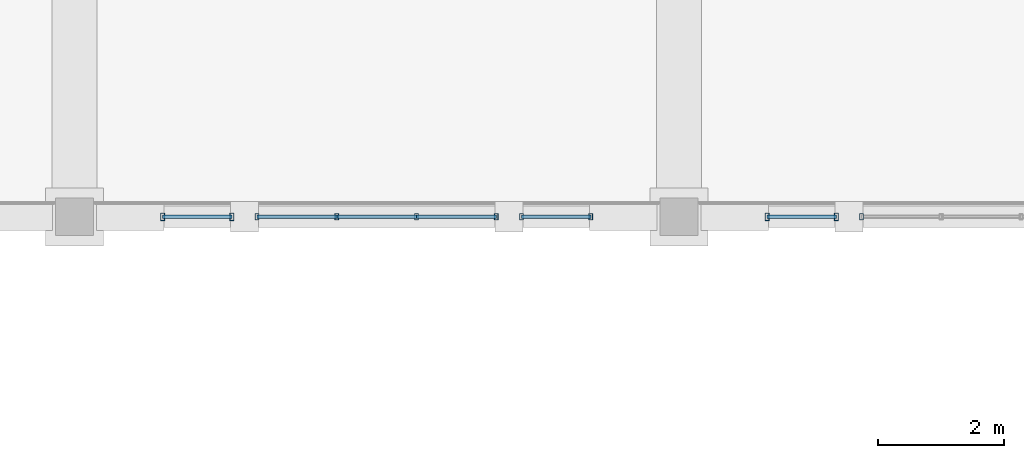
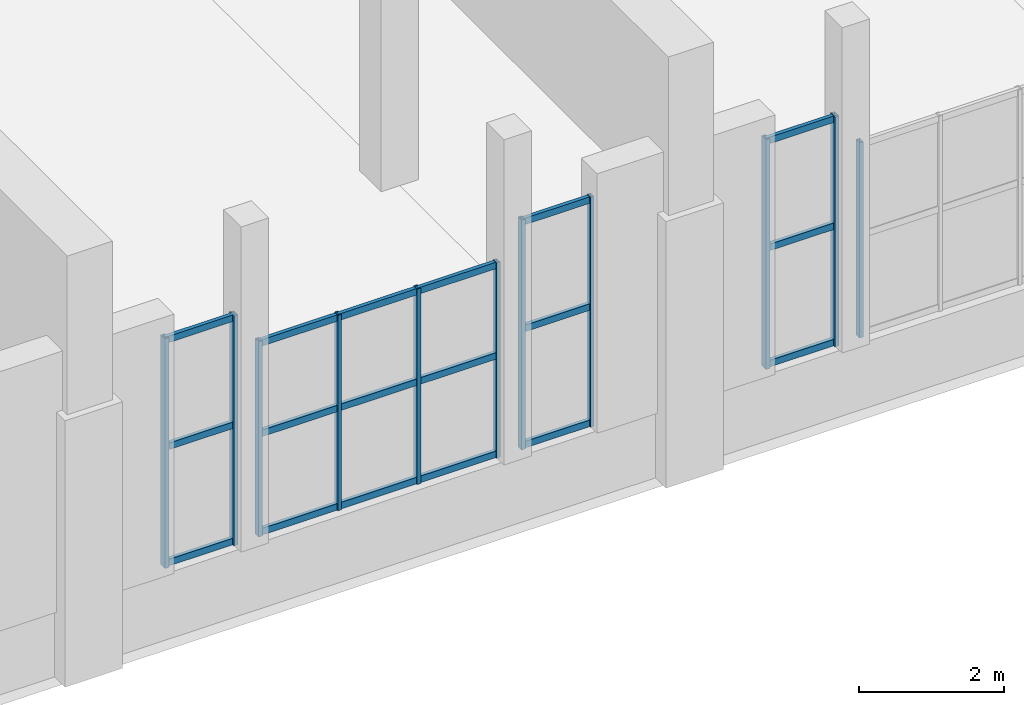
# One storey, part 8 of 46: 29 members, 5 elements without a shape of their own.
"""IFC4 building model written with IfcOpenShell, lengths in metres."""

from ifc_helpers import new_model, si_unit, direction, frame, origin, origin_2d, place, context, subcontext, project, spatial, hollow_rectangle, extrude, material, material_profile, profile_set, type_object, element, aggregate, save


model = new_model("IFC4")

# Units and contexts
model_context = context("Model", 3, precision=1e-05, world=origin(), true_north=direction((0.0, 1.0)))
body_context = subcontext(model_context, "Body", "Model", "MODEL_VIEW")
ifc_project = project(units=[si_unit("LENGTHUNIT", "METRE"), si_unit("AREAUNIT", "SQUARE_METRE"), si_unit("VOLUMEUNIT", "CUBIC_METRE"), si_unit("PLANEANGLEUNIT", "RADIAN"), si_unit("MASSUNIT", "GRAM", prefix="KILO")], contexts=[model_context])

# Site, building, storey
site_placement = place(None, origin())
site = spatial("IfcSite", under=ifc_project, at=site_placement, CompositionType="ELEMENT")
building_placement = place(site_placement, origin())
building = spatial("IfcBuilding", under=site, at=building_placement, Name="Mavantir Sound Aquarium", CompositionType="ELEMENT")
storey_placement = place(building_placement, frame((0.0, 0.0, 15.300048828125)))
storey = spatial("IfcBuildingStorey", under=building, at=storey_placement, Name="L03", CompositionType="ELEMENT", Elevation=15.300048828125)

# Curtain wall, members
ifc_material_1 = material(Name="Anodised Marine Aluminium and Low-E Glass", Category="aluminium")
curtain_wall_type_1 = type_object("IfcCurtainWallType", Name="CW-T10", PredefinedType="USERDEFINED", material=ifc_material_1)
curtain_wall_1_placement = place(storey_placement, origin())
curtain_wall_1 = element("IfcCurtainWall", 1, at=curtain_wall_1_placement, inside=storey, type_object=curtain_wall_type_1, Name="L03 unitised curtain wall CW-10 153", ObjectType="UNITISED GLAZING", PredefinedType="USERDEFINED")
ifc_material_2 = material(Name="Anodised Marine Aluminium 6063-T6", Category="aluminium")
ifc_material_profile_1 = material_profile(ifc_material_2, hollow_rectangle(XDim=0.06005859375, YDim=0.10009765625, WallThickness=0.00390625, at=origin_2d()), Name="ALU-MULLION-100X60")
ifc_profile_set_1 = profile_set([ifc_material_profile_1], Name="Anodised Marine Aluminium 6063-T6")
member_type_1 = type_object("IfcMemberType", Name="CW-MUL-100", PredefinedType="MULLION", material=ifc_profile_set_1)
member_1_placement = place(storey_placement, frame((130.10009765625, 40.800048828125, 1.119873046875), z_axis=(0.0, 0.0, 1.0), x_axis=(1.0, 0.0, 0.0)))
member_1 = element("IfcMember", 2, at=member_1_placement, type_object=member_type_1, Name="CW-DIOC-3S-C vertical mullion 1", PredefinedType="MULLION", context=body_context, shape_type="SweptSolid", body=[
    extrude(hollow_rectangle(XDim=0.06005859375, YDim=0.10009765625, WallThickness=0.00390625, at=origin_2d()), origin(), (0.0, 0.0, 1.0), 3.300048828125),
])
member_2_placement = place(storey_placement, frame((131.36669921875, 40.800048828125, 1.119873046875), z_axis=(0.0, 0.0, 1.0), x_axis=(1.0, 0.0, 0.0)))
member_2 = element("IfcMember", 3, at=member_2_placement, type_object=member_type_1, Name="CW-DIOC-3S-C vertical mullion 2", PredefinedType="MULLION", context=body_context, shape_type="SweptSolid", body=[
    extrude(hollow_rectangle(XDim=0.06005859375, YDim=0.10009765625, WallThickness=0.00390625, at=origin_2d()), origin(), (0.0, 0.0, 1.0), 3.300048828125),
])
member_3_placement = place(storey_placement, frame((132.63330078125, 40.800048828125, 1.119873046875), z_axis=(0.0, 0.0, 1.0), x_axis=(1.0, 0.0, 0.0)))
member_3 = element("IfcMember", 4, at=member_3_placement, type_object=member_type_1, Name="CW-DIOC-3S-C vertical mullion 3", PredefinedType="MULLION", context=body_context, shape_type="SweptSolid", body=[
    extrude(hollow_rectangle(XDim=0.06005859375, YDim=0.10009765625, WallThickness=0.00390625, at=origin_2d()), origin(), (0.0, 0.0, 1.0), 3.300048828125),
])
member_4_placement = place(storey_placement, frame((133.89990234375, 40.800048828125, 1.119873046875), z_axis=(0.0, 0.0, 1.0), x_axis=(1.0, 0.0, 0.0)))
member_4 = element("IfcMember", 5, at=member_4_placement, type_object=member_type_1, Name="CW-DIOC-3S-C vertical mullion 4", PredefinedType="MULLION", context=body_context, shape_type="SweptSolid", body=[
    extrude(hollow_rectangle(XDim=0.06005859375, YDim=0.10009765625, WallThickness=0.00390625, at=origin_2d()), origin(), (0.0, 0.0, 1.0), 3.300048828125),
])

curtain_wall_type_2 = type_object("IfcCurtainWallType", Name="CW-T12", PredefinedType="USERDEFINED", material=ifc_material_1)
curtain_wall_2_placement = place(storey_placement, origin())
curtain_wall_2 = element("IfcCurtainWall", 6, at=curtain_wall_2_placement, inside=storey, type_object=curtain_wall_type_2, Name="L03 unitised curtain wall CW-12 155", ObjectType="UNITISED GLAZING", PredefinedType="USERDEFINED")
member_5_placement = place(storey_placement, frame((134.300048828125, 40.800048828125, 1.119873046875), z_axis=(0.0, 0.0, 1.0), x_axis=(1.0, 0.0, 0.0)))
member_5 = element("IfcMember", 7, at=member_5_placement, type_object=member_type_1, Name="CW-DIOC-3S-R vertical mullion 1", PredefinedType="MULLION", context=body_context, shape_type="SweptSolid", body=[
    extrude(hollow_rectangle(XDim=0.06005859375, YDim=0.10009765625, WallThickness=0.00390625, at=origin_2d()), origin(), (0.0, 0.0, 1.0), 3.880126953125),
])
member_6_placement = place(storey_placement, frame((135.39990234375, 40.800048828125, 1.119873046875), z_axis=(0.0, 0.0, 1.0), x_axis=(1.0, 0.0, 0.0)))
member_6 = element("IfcMember", 8, at=member_6_placement, type_object=member_type_1, Name="CW-DIOC-3S-R vertical mullion 2", PredefinedType="MULLION", context=body_context, shape_type="SweptSolid", body=[
    extrude(hollow_rectangle(XDim=0.06005859375, YDim=0.10009765625, WallThickness=0.00390625, at=origin_2d()), origin(), (0.0, 0.0, 1.0), 3.880126953125),
])

# Curtain wall, member
curtain_wall_type_3 = type_object("IfcCurtainWallType", Name="CW-T16", PredefinedType="USERDEFINED", material=ifc_material_1)
curtain_wall_3_placement = place(storey_placement, origin())
curtain_wall_3 = element("IfcCurtainWall", 9, at=curtain_wall_3_placement, inside=storey, type_object=curtain_wall_type_3, Name="L03 unitised curtain wall CW-16 159", ObjectType="UNITISED GLAZING", PredefinedType="USERDEFINED")
member_7_placement = place(storey_placement, frame((139.699951171875, 40.800048828125, 1.119873046875), z_axis=(0.0, 0.0, 1.0), x_axis=(1.0, 0.0, 0.0)))
member_7 = element("IfcMember", 10, at=member_7_placement, type_object=member_type_1, Name="CW-DIOC-4S-C vertical mullion 1", PredefinedType="MULLION", context=body_context, shape_type="SweptSolid", body=[
    extrude(hollow_rectangle(XDim=0.06005859375, YDim=0.10009765625, WallThickness=0.00390625, at=origin_2d()), origin(), (0.0, 0.0, 1.0), 3.300048828125),
])
aggregate(curtain_wall_3, [member_7])

# Curtain wall, members
curtain_wall_type_4 = type_object("IfcCurtainWallType", Name="CW-T11", PredefinedType="USERDEFINED", material=ifc_material_1)
curtain_wall_4_placement = place(storey_placement, origin())
curtain_wall_4 = element("IfcCurtainWall", 11, at=curtain_wall_4_placement, inside=storey, type_object=curtain_wall_type_4, Name="L03 unitised curtain wall CW-11 154", ObjectType="UNITISED GLAZING", PredefinedType="USERDEFINED")
ifc_material_profile_2 = material_profile(ifc_material_2, hollow_rectangle(XDim=0.06494140625, YDim=0.1201171875, WallThickness=0.00390625, at=origin_2d()), Name="ALU-MULLION-120X65")
ifc_profile_set_2 = profile_set([ifc_material_profile_2], Name="Anodised Marine Aluminium 6063-T6")
member_type_2 = type_object("IfcMemberType", Name="CW-MUL-120", PredefinedType="MULLION", material=ifc_profile_set_2)
member_8_placement = place(storey_placement, frame((128.60009765625, 40.800048828125, 1.119873046875), z_axis=(0.0, 0.0, 1.0), x_axis=(1.0, 0.0, 0.0)))
member_8 = element("IfcMember", 12, at=member_8_placement, type_object=member_type_2, Name="CW-DIOC-3S-L vertical mullion 1", PredefinedType="MULLION", context=body_context, shape_type="SweptSolid", body=[
    extrude(hollow_rectangle(XDim=0.06494140625, YDim=0.1201171875, WallThickness=0.00390625, at=origin_2d()), origin(), (0.0, 0.0, 1.0), 3.880126953125),
])
member_9_placement = place(storey_placement, frame((129.699951171875, 40.800048828125, 1.119873046875), z_axis=(0.0, 0.0, 1.0), x_axis=(1.0, 0.0, 0.0)))
member_9 = element("IfcMember", 13, at=member_9_placement, type_object=member_type_2, Name="CW-DIOC-3S-L vertical mullion 2", PredefinedType="MULLION", context=body_context, shape_type="SweptSolid", body=[
    extrude(hollow_rectangle(XDim=0.06494140625, YDim=0.1201171875, WallThickness=0.00390625, at=origin_2d()), origin(), (0.0, 0.0, 1.0), 3.880126953125),
])

curtain_wall_type_5 = type_object("IfcCurtainWallType", Name="CW-T17", PredefinedType="USERDEFINED", material=ifc_material_1)
curtain_wall_5_placement = place(storey_placement, origin())
curtain_wall_5 = element("IfcCurtainWall", 14, at=curtain_wall_5_placement, inside=storey, type_object=curtain_wall_type_5, Name="L03 unitised curtain wall CW-17 160", ObjectType="UNITISED GLAZING", PredefinedType="USERDEFINED")
member_10_placement = place(storey_placement, frame((138.199951171875, 40.800048828125, 1.119873046875), z_axis=(0.0, 0.0, 1.0), x_axis=(1.0, 0.0, 0.0)))
member_10 = element("IfcMember", 15, at=member_10_placement, type_object=member_type_2, Name="CW-DIOC-4S-L vertical mullion 1", PredefinedType="MULLION", context=body_context, shape_type="SweptSolid", body=[
    extrude(hollow_rectangle(XDim=0.06494140625, YDim=0.1201171875, WallThickness=0.00390625, at=origin_2d()), origin(), (0.0, 0.0, 1.0), 3.880126953125),
])
member_11_placement = place(storey_placement, frame((139.300048828125, 40.800048828125, 1.119873046875), z_axis=(0.0, 0.0, 1.0), x_axis=(1.0, 0.0, 0.0)))
member_11 = element("IfcMember", 16, at=member_11_placement, type_object=member_type_2, Name="CW-DIOC-4S-L vertical mullion 2", PredefinedType="MULLION", context=body_context, shape_type="SweptSolid", body=[
    extrude(hollow_rectangle(XDim=0.06494140625, YDim=0.1201171875, WallThickness=0.00390625, at=origin_2d()), origin(), (0.0, 0.0, 1.0), 3.880126953125),
])

# Member
ifc_material_profile_3 = material_profile(ifc_material_2, hollow_rectangle(XDim=0.06005859375, YDim=0.110107421875, WallThickness=0.00390625, at=origin_2d()), Name="ALU-TRANSOM-110X60")
ifc_profile_set_3 = profile_set([ifc_material_profile_3], Name="Anodised Marine Aluminium 6063-T6")
member_type_3 = type_object("IfcMemberType", Name="CW-TRN-110", PredefinedType="USERDEFINED", material=ifc_profile_set_3)
member_12_placement = place(storey_placement, frame((130.10009765625, 40.800048828125, 1.175048828125), z_axis=(1.0, 0.0, 0.0), x_axis=(0.0, 1.0, 0.0)))
member_12 = element("IfcMember", 17, at=member_12_placement, type_object=member_type_3, Name="CW-DIOC-3S-C transom 1.1", ObjectType="TRANSOM", PredefinedType="USERDEFINED", context=body_context, shape_type="SweptSolid", body=[
    extrude(hollow_rectangle(XDim=0.06005859375, YDim=0.110107421875, WallThickness=0.00390625, at=origin_2d()), origin(), (0.0, 0.0, 1.0), 1.2666015625),
])

member_13_placement = place(storey_placement, frame((130.10009765625, 40.800048828125, 2.8359375), z_axis=(1.0, 0.0, 0.0), x_axis=(0.0, 1.0, 0.0)))
member_13 = element("IfcMember", 18, at=member_13_placement, type_object=member_type_3, Name="CW-DIOC-3S-C transom 1.2", ObjectType="TRANSOM", PredefinedType="USERDEFINED", context=body_context, shape_type="SweptSolid", body=[
    extrude(hollow_rectangle(XDim=0.06005859375, YDim=0.110107421875, WallThickness=0.00390625, at=origin_2d()), origin(), (0.0, 0.0, 1.0), 1.2666015625),
])

member_14_placement = place(storey_placement, frame((130.10009765625, 40.800048828125, 4.364990234375), z_axis=(1.0, 0.0, 0.0), x_axis=(0.0, 1.0, 0.0)))
member_14 = element("IfcMember", 19, at=member_14_placement, type_object=member_type_3, Name="CW-DIOC-3S-C transom 1.3", ObjectType="TRANSOM", PredefinedType="USERDEFINED", context=body_context, shape_type="SweptSolid", body=[
    extrude(hollow_rectangle(XDim=0.06005859375, YDim=0.110107421875, WallThickness=0.00390625, at=origin_2d()), origin(), (0.0, 0.0, 1.0), 1.2666015625),
])

member_15_placement = place(storey_placement, frame((131.36669921875, 40.800048828125, 1.175048828125), z_axis=(1.0, 0.0, 0.0), x_axis=(0.0, 1.0, 0.0)))
member_15 = element("IfcMember", 20, at=member_15_placement, type_object=member_type_3, Name="CW-DIOC-3S-C transom 2.1", ObjectType="TRANSOM", PredefinedType="USERDEFINED", context=body_context, shape_type="SweptSolid", body=[
    extrude(hollow_rectangle(XDim=0.06005859375, YDim=0.110107421875, WallThickness=0.00390625, at=origin_2d()), origin(), (0.0, 0.0, 1.0), 1.2666015625),
])

member_16_placement = place(storey_placement, frame((131.36669921875, 40.800048828125, 2.8359375), z_axis=(1.0, 0.0, 0.0), x_axis=(0.0, 1.0, 0.0)))
member_16 = element("IfcMember", 21, at=member_16_placement, type_object=member_type_3, Name="CW-DIOC-3S-C transom 2.2", ObjectType="TRANSOM", PredefinedType="USERDEFINED", context=body_context, shape_type="SweptSolid", body=[
    extrude(hollow_rectangle(XDim=0.06005859375, YDim=0.110107421875, WallThickness=0.00390625, at=origin_2d()), origin(), (0.0, 0.0, 1.0), 1.2666015625),
])

member_17_placement = place(storey_placement, frame((131.36669921875, 40.800048828125, 4.364990234375), z_axis=(1.0, 0.0, 0.0), x_axis=(0.0, 1.0, 0.0)))
member_17 = element("IfcMember", 22, at=member_17_placement, type_object=member_type_3, Name="CW-DIOC-3S-C transom 2.3", ObjectType="TRANSOM", PredefinedType="USERDEFINED", context=body_context, shape_type="SweptSolid", body=[
    extrude(hollow_rectangle(XDim=0.06005859375, YDim=0.110107421875, WallThickness=0.00390625, at=origin_2d()), origin(), (0.0, 0.0, 1.0), 1.2666015625),
])

member_18_placement = place(storey_placement, frame((132.63330078125, 40.800048828125, 1.175048828125), z_axis=(1.0, 0.0, 0.0), x_axis=(0.0, 1.0, 0.0)))
member_18 = element("IfcMember", 23, at=member_18_placement, type_object=member_type_3, Name="CW-DIOC-3S-C transom 3.1", ObjectType="TRANSOM", PredefinedType="USERDEFINED", context=body_context, shape_type="SweptSolid", body=[
    extrude(hollow_rectangle(XDim=0.06005859375, YDim=0.110107421875, WallThickness=0.00390625, at=origin_2d()), origin(), (0.0, 0.0, 1.0), 1.2666015625),
])

member_19_placement = place(storey_placement, frame((132.63330078125, 40.800048828125, 2.8359375), z_axis=(1.0, 0.0, 0.0), x_axis=(0.0, 1.0, 0.0)))
member_19 = element("IfcMember", 24, at=member_19_placement, type_object=member_type_3, Name="CW-DIOC-3S-C transom 3.2", ObjectType="TRANSOM", PredefinedType="USERDEFINED", context=body_context, shape_type="SweptSolid", body=[
    extrude(hollow_rectangle(XDim=0.06005859375, YDim=0.110107421875, WallThickness=0.00390625, at=origin_2d()), origin(), (0.0, 0.0, 1.0), 1.2666015625),
])

member_20_placement = place(storey_placement, frame((132.63330078125, 40.800048828125, 4.364990234375), z_axis=(1.0, 0.0, 0.0), x_axis=(0.0, 1.0, 0.0)))
member_20 = element("IfcMember", 25, at=member_20_placement, type_object=member_type_3, Name="CW-DIOC-3S-C transom 3.3", ObjectType="TRANSOM", PredefinedType="USERDEFINED", context=body_context, shape_type="SweptSolid", body=[
    extrude(hollow_rectangle(XDim=0.06005859375, YDim=0.110107421875, WallThickness=0.00390625, at=origin_2d()), origin(), (0.0, 0.0, 1.0), 1.2666015625),
])

aggregate(curtain_wall_1, [member_1, member_2, member_3, member_4, member_12, member_13, member_14, member_15, member_16, member_17, member_18, member_19, member_20])

member_21_placement = place(storey_placement, frame((128.60009765625, 40.800048828125, 1.175048828125), z_axis=(1.0, 0.0, 0.0), x_axis=(0.0, 1.0, 0.0)))
member_21 = element("IfcMember", 26, at=member_21_placement, type_object=member_type_3, Name="CW-DIOC-3S-L transom 1.1", ObjectType="TRANSOM", PredefinedType="USERDEFINED", context=body_context, shape_type="SweptSolid", body=[
    extrude(hollow_rectangle(XDim=0.06005859375, YDim=0.110107421875, WallThickness=0.00390625, at=origin_2d()), origin(), (0.0, 0.0, 1.0), 1.099853515625),
])

member_22_placement = place(storey_placement, frame((128.60009765625, 40.800048828125, 3.137451171875), z_axis=(1.0, 0.0, 0.0), x_axis=(0.0, 1.0, 0.0)))
member_22 = element("IfcMember", 27, at=member_22_placement, type_object=member_type_3, Name="CW-DIOC-3S-L transom 1.2", ObjectType="TRANSOM", PredefinedType="USERDEFINED", context=body_context, shape_type="SweptSolid", body=[
    extrude(hollow_rectangle(XDim=0.06005859375, YDim=0.110107421875, WallThickness=0.00390625, at=origin_2d()), origin(), (0.0, 0.0, 1.0), 1.099853515625),
])

member_23_placement = place(storey_placement, frame((128.60009765625, 40.800048828125, 4.945068359375), z_axis=(1.0, 0.0, 0.0), x_axis=(0.0, 1.0, 0.0)))
member_23 = element("IfcMember", 28, at=member_23_placement, type_object=member_type_3, Name="CW-DIOC-3S-L transom 1.3", ObjectType="TRANSOM", PredefinedType="USERDEFINED", context=body_context, shape_type="SweptSolid", body=[
    extrude(hollow_rectangle(XDim=0.06005859375, YDim=0.110107421875, WallThickness=0.00390625, at=origin_2d()), origin(), (0.0, 0.0, 1.0), 1.099853515625),
])

aggregate(curtain_wall_4, [member_8, member_9, member_21, member_22, member_23])

member_24_placement = place(storey_placement, frame((134.300048828125, 40.800048828125, 1.175048828125), z_axis=(1.0, 0.0, 0.0), x_axis=(0.0, 1.0, 0.0)))
member_24 = element("IfcMember", 29, at=member_24_placement, type_object=member_type_3, Name="CW-DIOC-3S-R transom 1.1", ObjectType="TRANSOM", PredefinedType="USERDEFINED", context=body_context, shape_type="SweptSolid", body=[
    extrude(hollow_rectangle(XDim=0.06005859375, YDim=0.110107421875, WallThickness=0.00390625, at=origin_2d()), origin(), (0.0, 0.0, 1.0), 1.099853515625),
])

member_25_placement = place(storey_placement, frame((134.300048828125, 40.800048828125, 3.137451171875), z_axis=(1.0, 0.0, 0.0), x_axis=(0.0, 1.0, 0.0)))
member_25 = element("IfcMember", 30, at=member_25_placement, type_object=member_type_3, Name="CW-DIOC-3S-R transom 1.2", ObjectType="TRANSOM", PredefinedType="USERDEFINED", context=body_context, shape_type="SweptSolid", body=[
    extrude(hollow_rectangle(XDim=0.06005859375, YDim=0.110107421875, WallThickness=0.00390625, at=origin_2d()), origin(), (0.0, 0.0, 1.0), 1.099853515625),
])

member_26_placement = place(storey_placement, frame((134.300048828125, 40.800048828125, 4.945068359375), z_axis=(1.0, 0.0, 0.0), x_axis=(0.0, 1.0, 0.0)))
member_26 = element("IfcMember", 31, at=member_26_placement, type_object=member_type_3, Name="CW-DIOC-3S-R transom 1.3", ObjectType="TRANSOM", PredefinedType="USERDEFINED", context=body_context, shape_type="SweptSolid", body=[
    extrude(hollow_rectangle(XDim=0.06005859375, YDim=0.110107421875, WallThickness=0.00390625, at=origin_2d()), origin(), (0.0, 0.0, 1.0), 1.099853515625),
])

aggregate(curtain_wall_2, [member_5, member_6, member_24, member_25, member_26])

member_27_placement = place(storey_placement, frame((138.199951171875, 40.800048828125, 1.175048828125), z_axis=(1.0, 0.0, 0.0), x_axis=(0.0, 1.0, 0.0)))
member_27 = element("IfcMember", 32, at=member_27_placement, type_object=member_type_3, Name="CW-DIOC-4S-L transom 1.1", ObjectType="TRANSOM", PredefinedType="USERDEFINED", context=body_context, shape_type="SweptSolid", body=[
    extrude(hollow_rectangle(XDim=0.06005859375, YDim=0.110107421875, WallThickness=0.00390625, at=origin_2d()), origin(), (0.0, 0.0, 1.0), 1.10009765625),
])

member_28_placement = place(storey_placement, frame((138.199951171875, 40.800048828125, 3.137451171875), z_axis=(1.0, 0.0, 0.0), x_axis=(0.0, 1.0, 0.0)))
member_28 = element("IfcMember", 33, at=member_28_placement, type_object=member_type_3, Name="CW-DIOC-4S-L transom 1.2", ObjectType="TRANSOM", PredefinedType="USERDEFINED", context=body_context, shape_type="SweptSolid", body=[
    extrude(hollow_rectangle(XDim=0.06005859375, YDim=0.110107421875, WallThickness=0.00390625, at=origin_2d()), origin(), (0.0, 0.0, 1.0), 1.10009765625),
])

member_29_placement = place(storey_placement, frame((138.199951171875, 40.800048828125, 4.945068359375), z_axis=(1.0, 0.0, 0.0), x_axis=(0.0, 1.0, 0.0)))
member_29 = element("IfcMember", 34, at=member_29_placement, type_object=member_type_3, Name="CW-DIOC-4S-L transom 1.3", ObjectType="TRANSOM", PredefinedType="USERDEFINED", context=body_context, shape_type="SweptSolid", body=[
    extrude(hollow_rectangle(XDim=0.06005859375, YDim=0.110107421875, WallThickness=0.00390625, at=origin_2d()), origin(), (0.0, 0.0, 1.0), 1.10009765625),
])

aggregate(curtain_wall_5, [member_10, member_11, member_27, member_28, member_29])

save(model, "model.ifc")
